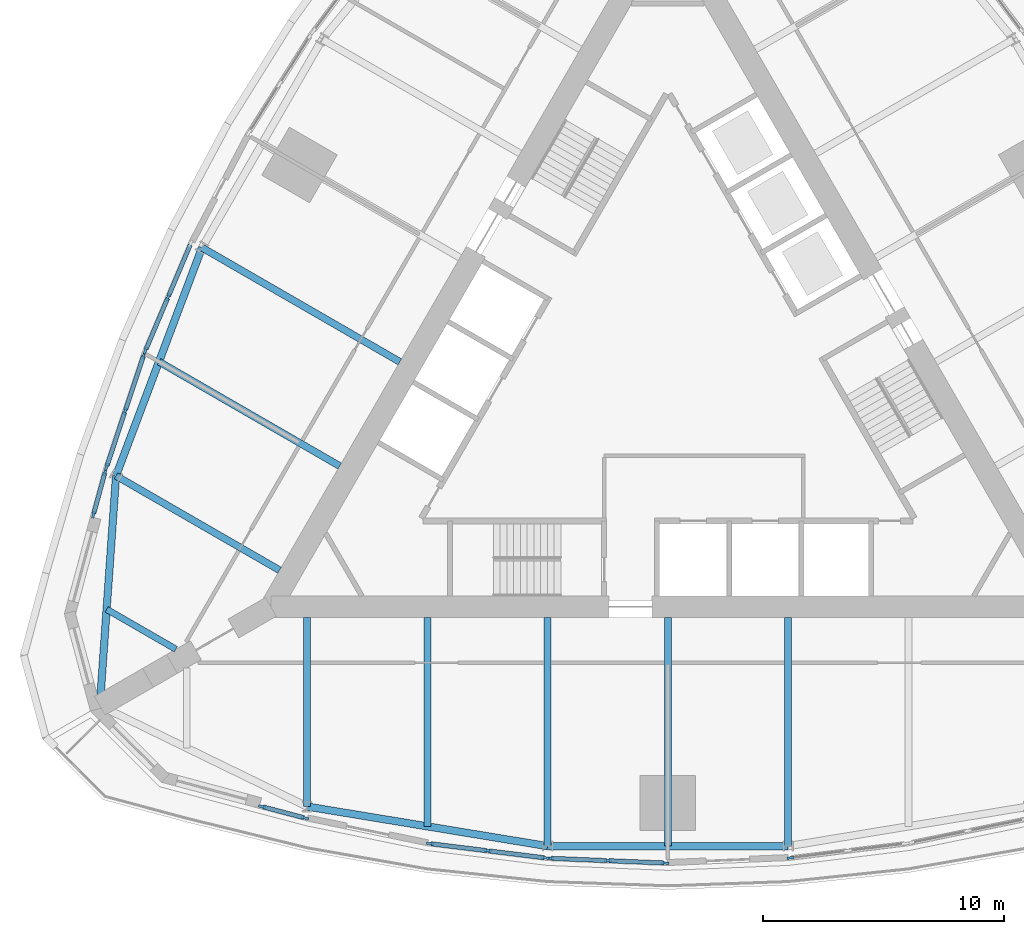
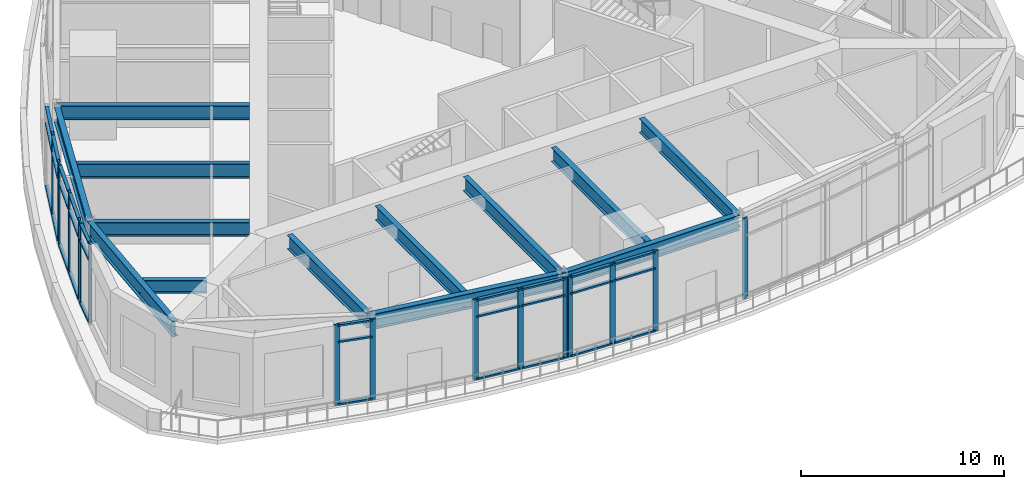
# One storey, part 2 of 13: 46 members, 13 beams, 7 elements without a shape of their own.
"""IFC4 building model written with IfcOpenShell, lengths in metres."""

import ifcopenshell
import ifcopenshell.guid

model = None  # the IFC model being written
_history = None  # IfcOwnerHistory: only IFC2X3 demands one
_inside = {}  # id of a spatial element -> (the spatial element, [elements in it])
_under = {}  # id of a project, library or spatial element -> (it, [spatial elements below it])
_declared = {}  # id of a project -> (the project, [libraries it declares])
_typed = {}  # id of a type object -> (the type object, [elements of that type])
_made_of = {}  # id of a material, layer set ... -> (it, [elements and type objects made of it])


def new_model(schema):
    """Start an empty IFC model of exactly this schema.

    Asked for "IFC4X3", IfcOpenShell would pick the latest addendum, in which some entities
    have other attributes; the version numbers below select the first issue.
    IFC2X3 requires an IfcOwnerHistory on every rooted entity: one is made here for all.
    """
    global model, _history
    if schema == "IFC4X3":
        model = ifcopenshell.file(schema_version=(4, 3, 0, 0))
    else:
        model = ifcopenshell.file(schema=schema)
    _inside.clear()
    _under.clear()
    _declared.clear()
    _typed.clear()
    _made_of.clear()
    _history = None
    if model.schema == "IFC2X3":
        org = make("IfcOrganization", Name="unknown")
        user = make(
            "IfcPersonAndOrganization",
            ThePerson=make("IfcPerson", FamilyName="unknown"),
            TheOrganization=org,
        )
        app = make(
            "IfcApplication",
            ApplicationDeveloper=org,
            Version="unknown",
            ApplicationFullName="unknown",
            ApplicationIdentifier="unknown",
        )
        _history = make(
            "IfcOwnerHistory",
            OwningUser=user,
            OwningApplication=app,
            ChangeAction="ADDED",
            CreationDate=0,
        )
    return model


def make(cls, **values):
    """One entity of the class cls with the attributes given. An attribute that is None is left unset."""
    return model.create_entity(
        cls, **{name: value for name, value in values.items() if value is not None}
    )


def rooted(cls, **values):
    """An entity with a GlobalId (a new one), such as an element, a storey or a relation."""
    return make(cls, GlobalId=ifcopenshell.guid.new(), OwnerHistory=_history, **values)


def si_unit(unit_type, name, prefix=None):
    """IfcSIUnit, for example si_unit("LENGTHUNIT", "METRE", prefix="MILLI")."""
    return make("IfcSIUnit", UnitType=unit_type, Prefix=prefix, Name=name)


def assignment(units):
    """IfcUnitAssignment: the units of a project."""
    return None if units is None else make("IfcUnitAssignment", Units=units)


def point(xyz):
    """IfcCartesianPoint."""
    return None if xyz is None else make("IfcCartesianPoint", Coordinates=xyz)


def direction(xyz):
    """IfcDirection."""
    return None if xyz is None else make("IfcDirection", DirectionRatios=xyz)


def frame(location, z_axis=None, x_axis=None):
    """IfcAxis2Placement3D, a coordinate frame: its origin and axes. An axis left out is left unset."""
    return make(
        "IfcAxis2Placement3D",
        Location=point(location),
        Axis=direction(z_axis),
        RefDirection=direction(x_axis),
    )


def frame_2d(location, x_axis=None):
    """IfcAxis2Placement2D, a coordinate frame in the plane: its origin and x axis."""
    return make(
        "IfcAxis2Placement2D", Location=point(location), RefDirection=direction(x_axis)
    )


def origin():
    """The frame at (0, 0, 0) with its axes left unset."""
    return frame((0.0, 0.0, 0.0))


def origin_2d():
    """The frame at (0, 0) in the plane with its x axis left unset."""
    return frame_2d((0.0, 0.0))


def place(relative_to, where):
    """IfcLocalPlacement: puts the frame where relative to a parent placement (None: the world)."""
    return make(
        "IfcLocalPlacement", PlacementRelTo=relative_to, RelativePlacement=where
    )


def context(
    kind, dimensions, precision=None, world=None, true_north=None, identifier=None
):
    """IfcGeometricRepresentationContext, for example the 3D "Model" context."""
    return make(
        "IfcGeometricRepresentationContext",
        ContextIdentifier=identifier,
        ContextType=kind,
        CoordinateSpaceDimension=dimensions,
        Precision=precision,
        WorldCoordinateSystem=world,
        TrueNorth=true_north,
    )


def subcontext(parent, identifier, kind, view, scale=None):
    """IfcGeometricRepresentationSubContext, for example "Body" below "Model"."""
    return make(
        "IfcGeometricRepresentationSubContext",
        ContextIdentifier=identifier,
        ContextType=kind,
        ParentContext=parent,
        TargetScale=scale,
        TargetView=view,
    )


def project(units=None, contexts=None):
    """IfcProject with its units and contexts."""
    return rooted(
        "IfcProject",
        Name="project",
        RepresentationContexts=contexts,
        UnitsInContext=assignment(units),
    )


def spatial(cls, under=None, at=None, **own):
    """A site, building, storey or space (cls), placed at a placement, below another one or the project."""
    s = rooted(cls, ObjectPlacement=at, **own)
    if under is not None:
        _under.setdefault(under.id(), (under, []))[1].append(s)
    return s


def profile(cls, at=None, kind="AREA", **sizes):
    """A parametric profile (cls). Its sizes go by their IFC names, for example OverallWidth=200.0."""
    return make(cls, ProfileType=kind, Position=at, **sizes)


def rectangle(**sizes):
    """IfcRectangleProfileDef."""
    return profile("IfcRectangleProfileDef", **sizes)


def i_section(**sizes):
    """IfcIShapeProfileDef."""
    return profile("IfcIShapeProfileDef", **sizes)


def extrude(swept, where, along, depth):
    """IfcExtrudedAreaSolid: the profile swept, set in the frame where, extruded along a direction by depth."""
    return make(
        "IfcExtrudedAreaSolid",
        SweptArea=swept,
        Position=where,
        ExtrudedDirection=direction(along),
        Depth=depth,
    )


def shape(context_of_items, identifier, shape_type, items):
    """IfcShapeRepresentation: the items that make up one representation, for example the "Body"."""
    return make(
        "IfcShapeRepresentation",
        ContextOfItems=context_of_items,
        RepresentationIdentifier=identifier,
        RepresentationType=shape_type,
        Items=items,
    )


def material(Name=None, Category=None):
    """IfcMaterial."""
    return make("IfcMaterial", Name=Name, Category=Category)


def material_profile(
    of_material, cross_section, Name=None, Category=None, Priority=None
):
    """IfcMaterialProfile: a cross section and its material."""
    return make(
        "IfcMaterialProfile",
        Name=Name,
        Material=of_material,
        Profile=cross_section,
        Priority=Priority,
        Category=Category,
    )


def profile_set(profiles, Name=None, composite=None):
    """IfcMaterialProfileSet."""
    return make(
        "IfcMaterialProfileSet",
        Name=Name,
        MaterialProfiles=profiles,
        CompositeProfile=composite,
    )


def made_of(thing, what):
    """Note that an element or type object is made of a material, layer set ...; save() writes the relation."""
    if what is not None:
        _made_of.setdefault(what.id(), (what, []))[1].append(thing)
    return thing


def type_object(cls, material=None, **own):
    """A type object (cls), such as IfcWallType, which elements share."""
    return made_of(rooted(cls, **own), material)


def element(
    cls,
    number,
    at=None,
    inside=None,
    cuts=None,
    type_object=None,
    material=None,
    context=None,
    identifier="Body",
    shape_type=None,
    held_by="IfcProductDefinitionShape",
    body=None,
    shapes=None,
    **own,
):
    """One element of the class cls, such as IfcWall. Its Tag is "e" and its number.

    at: its placement. inside: the storey or other place that contains it. cuts: it is an
    opening in that element (IfcRelVoidsElement). A single representation is given by context,
    identifier, shape_type and body (its items); several are given by shapes. held_by: the class
    of the entity that holds the representations. save() writes the other relations.
    """
    e = rooted(cls, Tag="e%d" % number, ObjectPlacement=at, **own)
    if body is not None:
        shapes = [shape(context, identifier, shape_type, body)]
    if shapes is not None:
        e.Representation = make(held_by, Representations=shapes)
    if inside is not None:
        _inside.setdefault(inside.id(), (inside, []))[1].append(e)
    if cuts is not None:
        rooted(
            "IfcRelVoidsElement", RelatingBuildingElement=cuts, RelatedOpeningElement=e
        )
    if type_object is not None:
        _typed.setdefault(type_object.id(), (type_object, []))[1].append(e)
    return made_of(e, material)


def aggregate(whole, parts):
    """IfcRelAggregates: a whole, such as a stair, and the parts it consists of."""
    return rooted("IfcRelAggregates", RelatingObject=whole, RelatedObjects=parts)


def save(model, path):
    """Write the relations noted so far, then the file.

    IfcRelAggregates (storeys below a building ...), IfcRelContainedInSpatialStructure (elements
    in a storey), IfcRelDefinesByType, IfcRelAssociatesMaterial and IfcRelDeclares: one each for
    every whole, place, type object, material and project.
    """
    for whole, parts in _under.values():
        aggregate(whole, parts)
    for where, things in _inside.values():
        rooted(
            "IfcRelContainedInSpatialStructure",
            RelatedElements=things,
            RelatingStructure=where,
        )
    for kind, things in _typed.values():
        rooted("IfcRelDefinesByType", RelatedObjects=things, RelatingType=kind)
    for what, things in _made_of.values():
        rooted("IfcRelAssociatesMaterial", RelatedObjects=things, RelatingMaterial=what)
    for by, libraries in _declared.values():
        rooted("IfcRelDeclares", RelatingContext=by, RelatedDefinitions=libraries)
    model.write(path)


model = new_model("IFC4")

# Units and contexts
model_context = context("Model", 3, precision=1e-05, world=origin(), true_north=direction((0.0, 1.0)))
body_context = subcontext(model_context, "Body", "Model", "MODEL_VIEW")
ifc_project = project(units=[si_unit("LENGTHUNIT", "METRE"), si_unit("AREAUNIT", "SQUARE_METRE"), si_unit("VOLUMEUNIT", "CUBIC_METRE"), si_unit("PLANEANGLEUNIT", "RADIAN"), si_unit("MASSUNIT", "GRAM", prefix="KILO")], contexts=[model_context])

# Site, building, storey
site_placement = place(None, origin())
site = spatial("IfcSite", under=ifc_project, at=site_placement, CompositionType="ELEMENT")
building_placement = place(site_placement, origin())
building = spatial("IfcBuilding", under=site, at=building_placement, Name="Trikona Tower", CompositionType="ELEMENT")
storey_placement = place(building_placement, frame((0.0, 0.0, 195.89990234375)))
storey = spatial("IfcBuildingStorey", under=building, at=storey_placement, Name="L52", CompositionType="ELEMENT", Elevation=195.89990234375)

# Curtain wall, members
ifc_material_1 = material(Name="Aluminium curtain wall system", Category="aluminium")
curtain_wall_type = type_object("IfcCurtainWallType", Name="Curtain wall SL", PredefinedType="NOTDEFINED", material=ifc_material_1)
curtain_wall_1_placement = place(storey_placement, origin())
curtain_wall_1 = element("IfcCurtainWall", 1, at=curtain_wall_1_placement, inside=storey, type_object=curtain_wall_type, Name="Curtain wall SL L52", PredefinedType="NOTDEFINED")
ifc_material_2 = material(Name="Aluminium mullion, pale anodised", Category="aluminium")
ifc_material_profile_1 = material_profile(ifc_material_2, rectangle(XDim=0.10009765625, YDim=0.300048828125, at=origin_2d()), Name="MUL-SL")
ifc_profile_set_1 = profile_set([ifc_material_profile_1], Name="Aluminium mullion, pale anodised")
member_type_1 = type_object("IfcMemberType", Name="Mullion SL 100x300", PredefinedType="MULLION", material=ifc_profile_set_1)
member_1_placement = place(storey_placement, frame((-16.8681640625, -17.829345703125, 0.0), z_axis=(0.0, 0.0, 1.0), x_axis=(0.25478635579, 0.966997369647, 0.0)))
member_1 = element("IfcMember", 2, at=member_1_placement, type_object=member_type_1, Name="CW-SL mullion 1", PredefinedType="MULLION", context=body_context, shape_type="SweptSolid", body=[
    extrude(rectangle(XDim=0.10009765625, YDim=0.300048828125, at=origin_2d()), origin(), (0.0, 0.0, 1.0), 4.835205078125),
])
member_2_placement = place(storey_placement, frame((-15.080810546875, -18.300048828125, 0.0), z_axis=(0.0, 0.0, 1.0), x_axis=(0.25478635579, 0.966997369647, 0.0)))
member_2 = element("IfcMember", 3, at=member_2_placement, type_object=member_type_1, Name="CW-SL mullion 2", PredefinedType="MULLION", context=body_context, shape_type="SweptSolid", body=[
    extrude(rectangle(XDim=0.10009765625, YDim=0.300048828125, at=origin_2d()), origin(), (0.0, 0.0, 1.0), 4.835205078125),
])

curtain_wall_2_placement = place(storey_placement, origin())
curtain_wall_2 = element("IfcCurtainWall", 4, at=curtain_wall_2_placement, inside=storey, type_object=curtain_wall_type, Name="Curtain wall SL L52", PredefinedType="NOTDEFINED")
member_3_placement = place(storey_placement, frame((-9.878662109375, -19.36865234375, 0.0), z_axis=(0.0, 0.0, 1.0), x_axis=(0.122610640458, 0.992454850785, 0.0)))
member_3 = element("IfcMember", 5, at=member_3_placement, type_object=member_type_1, Name="CW-SL mullion 1", PredefinedType="MULLION", context=body_context, shape_type="SweptSolid", body=[
    extrude(rectangle(XDim=0.10009765625, YDim=0.300048828125, at=origin_2d()), origin(), (0.0, 0.0, 1.0), 4.835205078125),
])
member_4_placement = place(storey_placement, frame((-7.48779296875, -19.663818359375, 0.0), z_axis=(0.0, 0.0, 1.0), x_axis=(0.122610640458, 0.992454850785, 0.0)))
member_4 = element("IfcMember", 6, at=member_4_placement, type_object=member_type_1, Name="CW-SL mullion 2", PredefinedType="MULLION", context=body_context, shape_type="SweptSolid", body=[
    extrude(rectangle(XDim=0.10009765625, YDim=0.300048828125, at=origin_2d()), origin(), (0.0, 0.0, 1.0), 4.835205078125),
])
member_5_placement = place(storey_placement, frame((-5.096923828125, -19.959228515625, 0.0), z_axis=(0.0, 0.0, 1.0), x_axis=(0.122610640458, 0.992454850785, 0.0)))
member_5 = element("IfcMember", 7, at=member_5_placement, type_object=member_type_1, Name="CW-SL mullion 3", PredefinedType="MULLION", context=body_context, shape_type="SweptSolid", body=[
    extrude(rectangle(XDim=0.10009765625, YDim=0.300048828125, at=origin_2d()), origin(), (0.0, 0.0, 1.0), 4.835205078125),
])

curtain_wall_3_placement = place(storey_placement, origin())
curtain_wall_3 = element("IfcCurtainWall", 8, at=curtain_wall_3_placement, inside=storey, type_object=curtain_wall_type, Name="Curtain wall SL L52", PredefinedType="NOTDEFINED")
member_6_placement = place(storey_placement, frame((-4.885986328125, -19.9765625, 0.0), z_axis=(0.0, 0.0, 1.0), x_axis=(0.041132349683, 0.999153706799, 0.0)))
member_6 = element("IfcMember", 9, at=member_6_placement, type_object=member_type_1, Name="CW-SL mullion 1", PredefinedType="MULLION", context=body_context, shape_type="SweptSolid", body=[
    extrude(rectangle(XDim=0.10009765625, YDim=0.300048828125, at=origin_2d()), origin(), (0.0, 0.0, 1.0), 4.835205078125),
])
member_7_placement = place(storey_placement, frame((-2.495849609375, -20.074951171875, 0.0), z_axis=(0.0, 0.0, 1.0), x_axis=(0.041132349683, 0.999153706799, 0.0)))
member_7 = element("IfcMember", 10, at=member_7_placement, type_object=member_type_1, Name="CW-SL mullion 2", PredefinedType="MULLION", context=body_context, shape_type="SweptSolid", body=[
    extrude(rectangle(XDim=0.10009765625, YDim=0.300048828125, at=origin_2d()), origin(), (0.0, 0.0, 1.0), 4.835205078125),
])
member_8_placement = place(storey_placement, frame((-0.105712890625, -20.17333984375, 0.0), z_axis=(0.0, 0.0, 1.0), x_axis=(0.041132349683, 0.999153706799, 0.0)))
member_8 = element("IfcMember", 11, at=member_8_placement, type_object=member_type_1, Name="CW-SL mullion 3", PredefinedType="MULLION", context=body_context, shape_type="SweptSolid", body=[
    extrude(rectangle(XDim=0.10009765625, YDim=0.300048828125, at=origin_2d()), origin(), (0.0, 0.0, 1.0), 4.835205078125),
])

# Curtain wall, member
curtain_wall_4_placement = place(storey_placement, origin())
curtain_wall_4 = element("IfcCurtainWall", 12, at=curtain_wall_4_placement, inside=storey, type_object=curtain_wall_type, Name="Curtain wall SL L52", PredefinedType="NOTDEFINED")
member_9_placement = place(storey_placement, frame((5.096923828125, -19.959228515625, 0.0), z_axis=(0.0, 0.0, 1.0), x_axis=(-0.122610640458, 0.992454850785, 0.0)))
member_9 = element("IfcMember", 13, at=member_9_placement, type_object=member_type_1, Name="CW-SL mullion 1", PredefinedType="MULLION", context=body_context, shape_type="SweptSolid", body=[
    extrude(rectangle(XDim=0.10009765625, YDim=0.300048828125, at=origin_2d()), origin(), (0.0, 0.0, 1.0), 4.835205078125),
])
aggregate(curtain_wall_4, [member_9])

# Curtain wall, members
curtain_wall_5_placement = place(storey_placement, origin())
curtain_wall_5 = element("IfcCurtainWall", 14, at=curtain_wall_5_placement, inside=storey, type_object=curtain_wall_type, Name="Curtain wall SL L52", PredefinedType="NOTDEFINED")
member_10_placement = place(storey_placement, frame((-20.773193359375, 3.347412109375, 0.0), z_axis=(0.0, 0.0, 1.0), x_axis=(0.920792322808, -0.390053199266, 0.0)))
member_10 = element("IfcMember", 15, at=member_10_placement, type_object=member_type_1, Name="CW-SL mullion 2", PredefinedType="MULLION", context=body_context, shape_type="SweptSolid", body=[
    extrude(rectangle(XDim=0.10009765625, YDim=0.300048828125, at=origin_2d()), origin(), (0.0, 0.0, 1.0), 4.835205078125),
])
member_11_placement = place(storey_placement, frame((-21.712890625, 1.129150390625, 0.0), z_axis=(0.0, 0.0, 1.0), x_axis=(0.920792322808, -0.390053199266, 0.0)))
member_11 = element("IfcMember", 16, at=member_11_placement, type_object=member_type_1, Name="CW-SL mullion 3", PredefinedType="MULLION", context=body_context, shape_type="SweptSolid", body=[
    extrude(rectangle(XDim=0.10009765625, YDim=0.300048828125, at=origin_2d()), origin(), (0.0, 0.0, 1.0), 4.835205078125),
])

curtain_wall_6_placement = place(storey_placement, origin())
curtain_wall_6 = element("IfcCurtainWall", 17, at=curtain_wall_6_placement, inside=storey, type_object=curtain_wall_type, Name="Curtain wall SL L52", PredefinedType="NOTDEFINED")
member_12_placement = place(storey_placement, frame((-21.78759765625, 0.930908203125, 0.0), z_axis=(0.0, 0.0, 1.0), x_axis=(0.94905976774, -0.31509610797, 0.0)))
member_12 = element("IfcMember", 18, at=member_12_placement, type_object=member_type_1, Name="CW-SL mullion 1", PredefinedType="MULLION", context=body_context, shape_type="SweptSolid", body=[
    extrude(rectangle(XDim=0.10009765625, YDim=0.300048828125, at=origin_2d()), origin(), (0.0, 0.0, 1.0), 4.835205078125),
])
member_13_placement = place(storey_placement, frame((-22.55712890625, -1.386962890625, 0.0), z_axis=(0.0, 0.0, 1.0), x_axis=(0.94905976774, -0.31509610797, 0.0)))
member_13 = element("IfcMember", 19, at=member_13_placement, type_object=member_type_1, Name="CW-SL mullion 2", PredefinedType="MULLION", context=body_context, shape_type="SweptSolid", body=[
    extrude(rectangle(XDim=0.10009765625, YDim=0.300048828125, at=origin_2d()), origin(), (0.0, 0.0, 1.0), 4.835205078125),
])
member_14_placement = place(storey_placement, frame((-23.326904296875, -3.705078125, 0.0), z_axis=(0.0, 0.0, 1.0), x_axis=(0.94905976774, -0.31509610797, 0.0)))
member_14 = element("IfcMember", 20, at=member_14_placement, type_object=member_type_1, Name="CW-SL mullion 3", PredefinedType="MULLION", context=body_context, shape_type="SweptSolid", body=[
    extrude(rectangle(XDim=0.10009765625, YDim=0.300048828125, at=origin_2d()), origin(), (0.0, 0.0, 1.0), 4.835205078125),
])

curtain_wall_7_placement = place(storey_placement, origin())
curtain_wall_7 = element("IfcCurtainWall", 21, at=curtain_wall_7_placement, inside=storey, type_object=curtain_wall_type, Name="Curtain wall SL L52", PredefinedType="NOTDEFINED")
member_15_placement = place(storey_placement, frame((-23.388916015625, -3.910400390625, 0.0), z_axis=(0.0, 0.0, 1.0), x_axis=(0.964851419019, -0.262796003047, 0.0)))
member_15 = element("IfcMember", 22, at=member_15_placement, type_object=member_type_1, Name="CW-SL mullion 1", PredefinedType="MULLION", context=body_context, shape_type="SweptSolid", body=[
    extrude(rectangle(XDim=0.10009765625, YDim=0.300048828125, at=origin_2d()), origin(), (0.0, 0.0, 1.0), 4.835205078125),
])
member_16_placement = place(storey_placement, frame((-23.87451171875, -5.693603515625, 0.0), z_axis=(0.0, 0.0, 1.0), x_axis=(0.964851419019, -0.262796003047, 0.0)))
member_16 = element("IfcMember", 23, at=member_16_placement, type_object=member_type_1, Name="CW-SL mullion 2", PredefinedType="MULLION", context=body_context, shape_type="SweptSolid", body=[
    extrude(rectangle(XDim=0.10009765625, YDim=0.300048828125, at=origin_2d()), origin(), (0.0, 0.0, 1.0), 4.835205078125),
])

# Beams
ifc_material_3 = material(Name="Steel ASTM A992 Grade 50", Category="steel")
ifc_material_profile_2 = material_profile(ifc_material_3, i_section(OverallWidth=0.2666015625, OverallDepth=0.76953125, WebThickness=0.015625, FlangeThickness=0.025390625, at=origin_2d()), Name="W30X132")
ifc_profile_set_2 = profile_set([ifc_material_profile_2], Name="Steel ASTM A992 Grade 50")
beam_type_1 = type_object("IfcBeamType", Name="Steel beam W30x132 (wedge)", PredefinedType="BEAM", material=ifc_profile_set_2)
beam_1_placement = place(storey_placement, frame((-20.449951171875, -11.287109375, 4.4501953125), z_axis=(-0.866019199568, 0.500010745865, 0.0), x_axis=(-0.500010745865, -0.866019199568, 0.0)))
element("IfcBeam", 24, at=beam_1_placement, inside=storey, type_object=beam_type_1, Name="Floor beam L53 F3 u20", PredefinedType="BEAM", context=body_context, shape_type="SweptSolid", body=[
    extrude(i_section(OverallWidth=0.2666015625, OverallDepth=0.76953125, WebThickness=0.015625, FlangeThickness=0.025390625, at=origin_2d()), origin(), (0.0, 0.0, 1.0), 3.3232421875),
])
ifc_material_4 = material(Name="Steel ASTM A992 Grade 50", Category="steel")
ifc_material_profile_3 = material_profile(ifc_material_4, i_section(OverallWidth=0.2919921875, OverallDepth=0.845703125, WebThickness=0.015380859375, FlangeThickness=0.0244140625, at=origin_2d()), Name="W33X141")
ifc_profile_set_3 = profile_set([ifc_material_profile_3], Name="Steel ASTM A992 Grade 50")
beam_type_2 = type_object("IfcBeamType", Name="Steel beam W33x141 (radial typ)", PredefinedType="BEAM", material=ifc_profile_set_3)
beam_2_placement = place(storey_placement, frame((-15.0, -9.976318359375, 4.412109375), z_axis=(0.0, -1.0, 0.0), x_axis=(1.0, 0.0, 0.0)))
element("IfcBeam", 25, at=beam_2_placement, inside=storey, type_object=beam_type_2, Name="Floor beam L53 F1 u-15", PredefinedType="BEAM", context=body_context, shape_type="SweptSolid", body=[
    extrude(i_section(OverallWidth=0.2919921875, OverallDepth=0.845703125, WebThickness=0.015380859375, FlangeThickness=0.0244140625, at=origin_2d()), origin(), (0.0, 0.0, 1.0), 7.8486328125),
])
beam_3_placement = place(storey_placement, frame((-10.0, -9.976318359375, 4.412109375), z_axis=(0.0, -1.0, 0.0), x_axis=(1.0, 0.0, 0.0)))
element("IfcBeam", 26, at=beam_3_placement, inside=storey, type_object=beam_type_2, Name="Floor beam L53 F1 u-10", PredefinedType="BEAM", context=body_context, shape_type="SweptSolid", body=[
    extrude(i_section(OverallWidth=0.2919921875, OverallDepth=0.845703125, WebThickness=0.015380859375, FlangeThickness=0.0244140625, at=origin_2d()), origin(), (0.0, 0.0, 1.0), 8.672119140625),
])
for number, where, z_axis, x_axis, name in (
    (27, (-5.0, -9.976318359375, 4.412109375), (0.0, -1.0, 0.0), (1.0, 0.0, 0.0), "Floor beam L53 F1 u-5"),
    (28, (0.0, -9.976318359375, 4.412109375), (0.0, -1.0, 0.0), (1.0, 0.0, 0.0), "Floor beam L53 F1 u0"),
    (29, (5.0, -9.976318359375, 4.412109375), (0.0, -1.0, 0.0), (1.0, 0.0, 0.0), "Floor beam L53 F1 u5"),
):
    element("IfcBeam", number, at=place(storey_placement, frame(where, z_axis=z_axis, x_axis=x_axis)), inside=storey, type_object=beam_type_2, Name=name, PredefinedType="BEAM", context=body_context, shape_type="SweptSolid", body=[
        extrude(i_section(OverallWidth=0.2919921875, OverallDepth=0.845703125, WebThickness=0.015380859375, FlangeThickness=0.0244140625, at=origin_2d()), origin(), (0.0, 0.0, 1.0), 9.49560546875),
    ])
beam_4_placement = place(storey_placement, frame((-11.1396484375, 0.657958984375, 4.412109375), z_axis=(-0.866019464008, 0.500010287853, 0.0), x_axis=(-0.500010287853, -0.866019464008, 0.0)))
element("IfcBeam", 30, at=beam_4_placement, inside=storey, type_object=beam_type_2, Name="Floor beam L53 F3 u5", PredefinedType="BEAM", context=body_context, shape_type="SweptSolid", body=[
    extrude(i_section(OverallWidth=0.2919921875, OverallDepth=0.845703125, WebThickness=0.015380859375, FlangeThickness=0.0244140625, at=origin_2d()), origin(), (0.0, 0.0, 1.0), 9.495849609375),
])
beam_5_placement = place(storey_placement, frame((-13.6396484375, -3.672119140625, 4.412109375), z_axis=(-0.866018686634, 0.500011634266, 0.0), x_axis=(-0.500011634266, -0.866018686634, 0.0)))
element("IfcBeam", 31, at=beam_5_placement, inside=storey, type_object=beam_type_2, Name="Floor beam L53 F3 u10", PredefinedType="BEAM", context=body_context, shape_type="SweptSolid", body=[
    extrude(i_section(OverallWidth=0.2919921875, OverallDepth=0.845703125, WebThickness=0.015380859375, FlangeThickness=0.0244140625, at=origin_2d()), origin(), (0.0, 0.0, 1.0), 8.672119140625),
])
beam_6_placement = place(storey_placement, frame((-16.1396484375, -8.002197265625, 4.412109375), z_axis=(-0.866025522914, 0.499999793661, 0.0), x_axis=(-0.499999793661, -0.866025522914, 0.0)))
element("IfcBeam", 32, at=beam_6_placement, inside=storey, type_object=beam_type_2, Name="Floor beam L53 F3 u15", PredefinedType="BEAM", context=body_context, shape_type="SweptSolid", body=[
    extrude(i_section(OverallWidth=0.2919921875, OverallDepth=0.845703125, WebThickness=0.015380859375, FlangeThickness=0.0244140625, at=origin_2d()), origin(), (0.0, 0.0, 1.0), 7.8486328125),
])
ifc_material_5 = material(Name="Steel ASTM A992 Grade 50", Category="steel")
ifc_material_profile_4 = material_profile(ifc_material_5, i_section(OverallWidth=0.307373046875, OverallDepth=0.922119140625, WebThickness=0.018310546875, FlangeThickness=0.030029296875, at=origin_2d()), Name="W36X182")
ifc_profile_set_4 = profile_set([ifc_material_profile_4], Name="Steel ASTM A992 Grade 50")
beam_type_3 = type_object("IfcBeamType", Name="Steel beam W36x182 (spandrel mid)", PredefinedType="SPANDREL", material=ifc_profile_set_4)
beam_7_placement = place(storey_placement, frame((-15.0, -17.824951171875, 4.3740234375), z_axis=(0.986707228918, -0.162507982575, 0.0), x_axis=(0.162507982575, 0.986707228918, 0.0)))
element("IfcBeam", 33, at=beam_7_placement, inside=storey, type_object=beam_type_3, Name="Spandrel beam L53 F1-2", PredefinedType="SPANDREL", context=body_context, shape_type="SweptSolid", body=[
    extrude(i_section(OverallWidth=0.307373046875, OverallDepth=0.922119140625, WebThickness=0.018310546875, FlangeThickness=0.030029296875, at=origin_2d()), origin(), (0.0, 0.0, 1.0), 10.134765625),
])
beam_8_placement = place(storey_placement, frame((-5.0, -19.471923828125, 4.3740234375), z_axis=(1.0, 0.0, 0.0), x_axis=(0.0, 1.0, 0.0)))
element("IfcBeam", 34, at=beam_8_placement, inside=storey, type_object=beam_type_3, Name="Spandrel beam L53 F1-3", PredefinedType="SPANDREL", context=body_context, shape_type="SweptSolid", body=[
    extrude(i_section(OverallWidth=0.307373046875, OverallDepth=0.922119140625, WebThickness=0.018310546875, FlangeThickness=0.030029296875, at=origin_2d()), origin(), (0.0, 0.0, 1.0), 10.0),
])
beam_9_placement = place(storey_placement, frame((-19.36328125, 5.406005859375, 4.3740234375), z_axis=(-0.352596088442, -0.935775613283, 0.0), x_axis=(0.935775613283, -0.352596088442, 0.0)))
element("IfcBeam", 35, at=beam_9_placement, inside=storey, type_object=beam_type_3, Name="Spandrel beam L53 F3-4", PredefinedType="SPANDREL", context=body_context, shape_type="SweptSolid", body=[
    extrude(i_section(OverallWidth=0.307373046875, OverallDepth=0.922119140625, WebThickness=0.018310546875, FlangeThickness=0.030029296875, at=origin_2d()), origin(), (0.0, 0.0, 1.0), 10.134765625),
])
beam_10_placement = place(storey_placement, frame((-22.936767578125, -4.077880859375, 4.3740234375), z_axis=(-0.07033215835, -0.997523627541, 0.0), x_axis=(0.997523627541, -0.07033215835, 0.0)))
element("IfcBeam", 36, at=beam_10_placement, inside=storey, type_object=beam_type_3, Name="Spandrel beam L53 F3-5", PredefinedType="SPANDREL", context=body_context, shape_type="SweptSolid", body=[
    extrude(i_section(OverallWidth=0.307373046875, OverallDepth=0.922119140625, WebThickness=0.018310546875, FlangeThickness=0.030029296875, at=origin_2d()), origin(), (0.0, 0.0, 1.0), 9.5771484375),
])

# Member
ifc_material_6 = material(Name="Aluminium transom, pale anodised", Category="aluminium")
ifc_material_profile_5 = material_profile(ifc_material_6, rectangle(XDim=0.179931640625, YDim=0.10009765625, at=origin_2d()), Name="TRN-SL")
ifc_profile_set_5 = profile_set([ifc_material_profile_5], Name="Aluminium transom, pale anodised")
member_type_2 = type_object("IfcMemberType", Name="Transom SL 100x180", PredefinedType="USERDEFINED", material=ifc_profile_set_5)
member_17_placement = place(storey_placement, frame((-16.81982421875, -17.842041015625, 0.050048828125), z_axis=(0.967018440068, -0.25470637324, 0.0), x_axis=(0.25470637324, 0.967018440068, 0.0)))
member_17 = element("IfcMember", 37, at=member_17_placement, type_object=member_type_2, Name="CW-SL transom 1.1", ObjectType="TRANSOM", PredefinedType="USERDEFINED", context=body_context, shape_type="SweptSolid", body=[
    extrude(rectangle(XDim=0.179931640625, YDim=0.10009765625, at=origin_2d()), origin(), (0.0, 0.0, 1.0), 1.748291015625),
])

member_18_placement = place(storey_placement, frame((-16.81982421875, -17.842041015625, 3.800048828125), z_axis=(0.967018440068, -0.25470637324, 0.0), x_axis=(0.25470637324, 0.967018440068, 0.0)))
member_18 = element("IfcMember", 38, at=member_18_placement, type_object=member_type_2, Name="CW-SL transom 1.2", ObjectType="TRANSOM", PredefinedType="USERDEFINED", context=body_context, shape_type="SweptSolid", body=[
    extrude(rectangle(XDim=0.179931640625, YDim=0.10009765625, at=origin_2d()), origin(), (0.0, 0.0, 1.0), 1.748291015625),
])

member_19_placement = place(storey_placement, frame((-16.81982421875, -17.842041015625, 4.78515625), z_axis=(0.967018440068, -0.25470637324, 0.0), x_axis=(0.25470637324, 0.967018440068, 0.0)))
member_19 = element("IfcMember", 39, at=member_19_placement, type_object=member_type_2, Name="CW-SL transom 1.3", ObjectType="TRANSOM", PredefinedType="USERDEFINED", context=body_context, shape_type="SweptSolid", body=[
    extrude(rectangle(XDim=0.179931640625, YDim=0.10009765625, at=origin_2d()), origin(), (0.0, 0.0, 1.0), 1.748291015625),
])

aggregate(curtain_wall_1, [member_1, member_2, member_17, member_18, member_19])

member_20_placement = place(storey_placement, frame((-9.828857421875, -19.374755859375, 0.050048828125), z_axis=(0.992462216808, -0.12255100248, 0.0), x_axis=(0.12255100248, 0.992462216808, 0.0)))
member_20 = element("IfcMember", 40, at=member_20_placement, type_object=member_type_2, Name="CW-SL transom 1.1", ObjectType="TRANSOM", PredefinedType="USERDEFINED", context=body_context, shape_type="SweptSolid", body=[
    extrude(rectangle(XDim=0.179931640625, YDim=0.10009765625, at=origin_2d()), origin(), (0.0, 0.0, 1.0), 2.308837890625),
])

member_21_placement = place(storey_placement, frame((-9.828857421875, -19.374755859375, 3.800048828125), z_axis=(0.992462216808, -0.12255100248, 0.0), x_axis=(0.12255100248, 0.992462216808, 0.0)))
member_21 = element("IfcMember", 41, at=member_21_placement, type_object=member_type_2, Name="CW-SL transom 1.2", ObjectType="TRANSOM", PredefinedType="USERDEFINED", context=body_context, shape_type="SweptSolid", body=[
    extrude(rectangle(XDim=0.179931640625, YDim=0.10009765625, at=origin_2d()), origin(), (0.0, 0.0, 1.0), 2.308837890625),
])

member_22_placement = place(storey_placement, frame((-9.828857421875, -19.374755859375, 4.78515625), z_axis=(0.992462216808, -0.12255100248, 0.0), x_axis=(0.12255100248, 0.992462216808, 0.0)))
member_22 = element("IfcMember", 42, at=member_22_placement, type_object=member_type_2, Name="CW-SL transom 1.3", ObjectType="TRANSOM", PredefinedType="USERDEFINED", context=body_context, shape_type="SweptSolid", body=[
    extrude(rectangle(XDim=0.179931640625, YDim=0.10009765625, at=origin_2d()), origin(), (0.0, 0.0, 1.0), 2.308837890625),
])

member_23_placement = place(storey_placement, frame((-7.438232421875, -19.669921875, 0.050048828125), z_axis=(0.99245094131, -0.122642281018, 0.0), x_axis=(0.122642281018, 0.99245094131, 0.0)))
member_23 = element("IfcMember", 43, at=member_23_placement, type_object=member_type_2, Name="CW-SL transom 2.1", ObjectType="TRANSOM", PredefinedType="USERDEFINED", context=body_context, shape_type="SweptSolid", body=[
    extrude(rectangle(XDim=0.179931640625, YDim=0.10009765625, at=origin_2d()), origin(), (0.0, 0.0, 1.0), 2.30908203125),
])

member_24_placement = place(storey_placement, frame((-7.438232421875, -19.669921875, 3.800048828125), z_axis=(0.99245094131, -0.122642281018, 0.0), x_axis=(0.122642281018, 0.99245094131, 0.0)))
member_24 = element("IfcMember", 44, at=member_24_placement, type_object=member_type_2, Name="CW-SL transom 2.2", ObjectType="TRANSOM", PredefinedType="USERDEFINED", context=body_context, shape_type="SweptSolid", body=[
    extrude(rectangle(XDim=0.179931640625, YDim=0.10009765625, at=origin_2d()), origin(), (0.0, 0.0, 1.0), 2.30908203125),
])

member_25_placement = place(storey_placement, frame((-7.438232421875, -19.669921875, 4.78515625), z_axis=(0.99245094131, -0.122642281018, 0.0), x_axis=(0.122642281018, 0.99245094131, 0.0)))
member_25 = element("IfcMember", 45, at=member_25_placement, type_object=member_type_2, Name="CW-SL transom 2.3", ObjectType="TRANSOM", PredefinedType="USERDEFINED", context=body_context, shape_type="SweptSolid", body=[
    extrude(rectangle(XDim=0.179931640625, YDim=0.10009765625, at=origin_2d()), origin(), (0.0, 0.0, 1.0), 2.30908203125),
])

aggregate(curtain_wall_2, [member_3, member_4, member_5, member_20, member_21, member_22, member_23, member_24, member_25])

member_26_placement = place(storey_placement, frame((-4.8359375, -19.978759765625, 0.050048828125), z_axis=(0.999154355601, -0.041116586488, 0.0), x_axis=(0.041116586488, 0.999154355601, 0.0)))
member_26 = element("IfcMember", 46, at=member_26_placement, type_object=member_type_2, Name="CW-SL transom 1.1", ObjectType="TRANSOM", PredefinedType="USERDEFINED", context=body_context, shape_type="SweptSolid", body=[
    extrude(rectangle(XDim=0.179931640625, YDim=0.10009765625, at=origin_2d()), origin(), (0.0, 0.0, 1.0), 2.2919921875),
])

member_27_placement = place(storey_placement, frame((-4.8359375, -19.978759765625, 3.800048828125), z_axis=(0.999154355601, -0.041116586488, 0.0), x_axis=(0.041116586488, 0.999154355601, 0.0)))
member_27 = element("IfcMember", 47, at=member_27_placement, type_object=member_type_2, Name="CW-SL transom 1.2", ObjectType="TRANSOM", PredefinedType="USERDEFINED", context=body_context, shape_type="SweptSolid", body=[
    extrude(rectangle(XDim=0.179931640625, YDim=0.10009765625, at=origin_2d()), origin(), (0.0, 0.0, 1.0), 2.2919921875),
])

member_28_placement = place(storey_placement, frame((-4.8359375, -19.978759765625, 4.78515625), z_axis=(0.999154355601, -0.041116586488, 0.0), x_axis=(0.041116586488, 0.999154355601, 0.0)))
member_28 = element("IfcMember", 48, at=member_28_placement, type_object=member_type_2, Name="CW-SL transom 1.3", ObjectType="TRANSOM", PredefinedType="USERDEFINED", context=body_context, shape_type="SweptSolid", body=[
    extrude(rectangle(XDim=0.179931640625, YDim=0.10009765625, at=origin_2d()), origin(), (0.0, 0.0, 1.0), 2.2919921875),
])

member_29_placement = place(storey_placement, frame((-2.44580078125, -20.0771484375, 0.050048828125), z_axis=(0.999154355601, -0.041116586488, 0.0), x_axis=(0.041116586488, 0.999154355601, 0.0)))
member_29 = element("IfcMember", 49, at=member_29_placement, type_object=member_type_2, Name="CW-SL transom 2.1", ObjectType="TRANSOM", PredefinedType="USERDEFINED", context=body_context, shape_type="SweptSolid", body=[
    extrude(rectangle(XDim=0.179931640625, YDim=0.10009765625, at=origin_2d()), origin(), (0.0, 0.0, 1.0), 2.2919921875),
])

member_30_placement = place(storey_placement, frame((-2.44580078125, -20.0771484375, 3.800048828125), z_axis=(0.999154355601, -0.041116586488, 0.0), x_axis=(0.041116586488, 0.999154355601, 0.0)))
member_30 = element("IfcMember", 50, at=member_30_placement, type_object=member_type_2, Name="CW-SL transom 2.2", ObjectType="TRANSOM", PredefinedType="USERDEFINED", context=body_context, shape_type="SweptSolid", body=[
    extrude(rectangle(XDim=0.179931640625, YDim=0.10009765625, at=origin_2d()), origin(), (0.0, 0.0, 1.0), 2.2919921875),
])

member_31_placement = place(storey_placement, frame((-2.44580078125, -20.0771484375, 4.78515625), z_axis=(0.999154355601, -0.041116586488, 0.0), x_axis=(0.041116586488, 0.999154355601, 0.0)))
member_31 = element("IfcMember", 51, at=member_31_placement, type_object=member_type_2, Name="CW-SL transom 2.3", ObjectType="TRANSOM", PredefinedType="USERDEFINED", context=body_context, shape_type="SweptSolid", body=[
    extrude(rectangle(XDim=0.179931640625, YDim=0.10009765625, at=origin_2d()), origin(), (0.0, 0.0, 1.0), 2.2919921875),
])

aggregate(curtain_wall_3, [member_6, member_7, member_8, member_26, member_27, member_28, member_29, member_30, member_31])

member_32_placement = place(storey_placement, frame((-19.85302734375, 5.51953125, 0.050048828125), z_axis=(-0.390036606637, -0.92079935137, 0.0), x_axis=(0.92079935137, -0.390036606637, 0.0)))
member_32 = element("IfcMember", 52, at=member_32_placement, type_object=member_type_2, Name="CW-SL transom 1.1", ObjectType="TRANSOM", PredefinedType="USERDEFINED", context=body_context, shape_type="SweptSolid", body=[
    extrude(rectangle(XDim=0.179931640625, YDim=0.10009765625, at=origin_2d()), origin(), (0.0, 0.0, 1.0), 2.30908203125),
])

member_33_placement = place(storey_placement, frame((-19.85302734375, 5.51953125, 3.800048828125), z_axis=(-0.390036606637, -0.92079935137, 0.0), x_axis=(0.92079935137, -0.390036606637, 0.0)))
member_33 = element("IfcMember", 53, at=member_33_placement, type_object=member_type_2, Name="CW-SL transom 1.2", ObjectType="TRANSOM", PredefinedType="USERDEFINED", context=body_context, shape_type="SweptSolid", body=[
    extrude(rectangle(XDim=0.179931640625, YDim=0.10009765625, at=origin_2d()), origin(), (0.0, 0.0, 1.0), 2.30908203125),
])

member_34_placement = place(storey_placement, frame((-19.85302734375, 5.51953125, 4.78515625), z_axis=(-0.390036606637, -0.92079935137, 0.0), x_axis=(0.92079935137, -0.390036606637, 0.0)))
member_34 = element("IfcMember", 54, at=member_34_placement, type_object=member_type_2, Name="CW-SL transom 1.3", ObjectType="TRANSOM", PredefinedType="USERDEFINED", context=body_context, shape_type="SweptSolid", body=[
    extrude(rectangle(XDim=0.179931640625, YDim=0.10009765625, at=origin_2d()), origin(), (0.0, 0.0, 1.0), 2.30908203125),
])

member_35_placement = place(storey_placement, frame((-20.792724609375, 3.30126953125, 0.050048828125), z_axis=(-0.390074582319, -0.920783264525, 0.0), x_axis=(0.920783264525, -0.390074582319, 0.0)))
member_35 = element("IfcMember", 55, at=member_35_placement, type_object=member_type_2, Name="CW-SL transom 2.1", ObjectType="TRANSOM", PredefinedType="USERDEFINED", context=body_context, shape_type="SweptSolid", body=[
    extrude(rectangle(XDim=0.179931640625, YDim=0.10009765625, at=origin_2d()), origin(), (0.0, 0.0, 1.0), 2.308837890625),
])

member_36_placement = place(storey_placement, frame((-20.792724609375, 3.30126953125, 3.800048828125), z_axis=(-0.390074582319, -0.920783264525, 0.0), x_axis=(0.920783264525, -0.390074582319, 0.0)))
member_36 = element("IfcMember", 56, at=member_36_placement, type_object=member_type_2, Name="CW-SL transom 2.2", ObjectType="TRANSOM", PredefinedType="USERDEFINED", context=body_context, shape_type="SweptSolid", body=[
    extrude(rectangle(XDim=0.179931640625, YDim=0.10009765625, at=origin_2d()), origin(), (0.0, 0.0, 1.0), 2.308837890625),
])

member_37_placement = place(storey_placement, frame((-20.792724609375, 3.30126953125, 4.78515625), z_axis=(-0.390074582319, -0.920783264525, 0.0), x_axis=(0.920783264525, -0.390074582319, 0.0)))
member_37 = element("IfcMember", 57, at=member_37_placement, type_object=member_type_2, Name="CW-SL transom 2.3", ObjectType="TRANSOM", PredefinedType="USERDEFINED", context=body_context, shape_type="SweptSolid", body=[
    extrude(rectangle(XDim=0.179931640625, YDim=0.10009765625, at=origin_2d()), origin(), (0.0, 0.0, 1.0), 2.308837890625),
])

aggregate(curtain_wall_5, [member_10, member_11, member_32, member_33, member_34, member_35, member_36, member_37])

member_38_placement = place(storey_placement, frame((-21.803466796875, 0.883544921875, 0.050048828125), z_axis=(-0.315070639024, -0.949068223272, 0.0), x_axis=(0.949068223272, -0.315070639024, 0.0)))
member_38 = element("IfcMember", 58, at=member_38_placement, type_object=member_type_2, Name="CW-SL transom 1.1", ObjectType="TRANSOM", PredefinedType="USERDEFINED", context=body_context, shape_type="SweptSolid", body=[
    extrude(rectangle(XDim=0.179931640625, YDim=0.10009765625, at=origin_2d()), origin(), (0.0, 0.0, 1.0), 2.342529296875),
])

member_39_placement = place(storey_placement, frame((-21.803466796875, 0.883544921875, 3.800048828125), z_axis=(-0.315070639024, -0.949068223272, 0.0), x_axis=(0.949068223272, -0.315070639024, 0.0)))
member_39 = element("IfcMember", 59, at=member_39_placement, type_object=member_type_2, Name="CW-SL transom 1.2", ObjectType="TRANSOM", PredefinedType="USERDEFINED", context=body_context, shape_type="SweptSolid", body=[
    extrude(rectangle(XDim=0.179931640625, YDim=0.10009765625, at=origin_2d()), origin(), (0.0, 0.0, 1.0), 2.342529296875),
])

member_40_placement = place(storey_placement, frame((-21.803466796875, 0.883544921875, 4.78515625), z_axis=(-0.315070639024, -0.949068223272, 0.0), x_axis=(0.949068223272, -0.315070639024, 0.0)))
member_40 = element("IfcMember", 60, at=member_40_placement, type_object=member_type_2, Name="CW-SL transom 1.3", ObjectType="TRANSOM", PredefinedType="USERDEFINED", context=body_context, shape_type="SweptSolid", body=[
    extrude(rectangle(XDim=0.179931640625, YDim=0.10009765625, at=origin_2d()), origin(), (0.0, 0.0, 1.0), 2.342529296875),
])

member_41_placement = place(storey_placement, frame((-22.572998046875, -1.4345703125, 0.050048828125), z_axis=(-0.315070639024, -0.949068223272, 0.0), x_axis=(0.949068223272, -0.315070639024, 0.0)))
member_41 = element("IfcMember", 61, at=member_41_placement, type_object=member_type_2, Name="CW-SL transom 2.1", ObjectType="TRANSOM", PredefinedType="USERDEFINED", context=body_context, shape_type="SweptSolid", body=[
    extrude(rectangle(XDim=0.179931640625, YDim=0.10009765625, at=origin_2d()), origin(), (0.0, 0.0, 1.0), 2.342529296875),
])

member_42_placement = place(storey_placement, frame((-22.572998046875, -1.4345703125, 3.800048828125), z_axis=(-0.315070639024, -0.949068223272, 0.0), x_axis=(0.949068223272, -0.315070639024, 0.0)))
member_42 = element("IfcMember", 62, at=member_42_placement, type_object=member_type_2, Name="CW-SL transom 2.2", ObjectType="TRANSOM", PredefinedType="USERDEFINED", context=body_context, shape_type="SweptSolid", body=[
    extrude(rectangle(XDim=0.179931640625, YDim=0.10009765625, at=origin_2d()), origin(), (0.0, 0.0, 1.0), 2.342529296875),
])

member_43_placement = place(storey_placement, frame((-22.572998046875, -1.4345703125, 4.78515625), z_axis=(-0.315070639024, -0.949068223272, 0.0), x_axis=(0.949068223272, -0.315070639024, 0.0)))
member_43 = element("IfcMember", 63, at=member_43_placement, type_object=member_type_2, Name="CW-SL transom 2.3", ObjectType="TRANSOM", PredefinedType="USERDEFINED", context=body_context, shape_type="SweptSolid", body=[
    extrude(rectangle(XDim=0.179931640625, YDim=0.10009765625, at=origin_2d()), origin(), (0.0, 0.0, 1.0), 2.342529296875),
])

aggregate(curtain_wall_6, [member_12, member_13, member_14, member_38, member_39, member_40, member_41, member_42, member_43])

member_44_placement = place(storey_placement, frame((-23.402099609375, -3.95849609375, 0.050048828125), z_axis=(-0.262656574771, -0.964889384194, 0.0), x_axis=(0.964889384194, -0.262656574771, 0.0)))
member_44 = element("IfcMember", 64, at=member_44_placement, type_object=member_type_2, Name="CW-SL transom 1.1", ObjectType="TRANSOM", PredefinedType="USERDEFINED", context=body_context, shape_type="SweptSolid", body=[
    extrude(rectangle(XDim=0.179931640625, YDim=0.10009765625, at=origin_2d()), origin(), (0.0, 0.0, 1.0), 1.748291015625),
])

member_45_placement = place(storey_placement, frame((-23.402099609375, -3.95849609375, 3.800048828125), z_axis=(-0.262656574771, -0.964889384194, 0.0), x_axis=(0.964889384194, -0.262656574771, 0.0)))
member_45 = element("IfcMember", 65, at=member_45_placement, type_object=member_type_2, Name="CW-SL transom 1.2", ObjectType="TRANSOM", PredefinedType="USERDEFINED", context=body_context, shape_type="SweptSolid", body=[
    extrude(rectangle(XDim=0.179931640625, YDim=0.10009765625, at=origin_2d()), origin(), (0.0, 0.0, 1.0), 1.748291015625),
])

member_46_placement = place(storey_placement, frame((-23.402099609375, -3.95849609375, 4.78515625), z_axis=(-0.262656574771, -0.964889384194, 0.0), x_axis=(0.964889384194, -0.262656574771, 0.0)))
member_46 = element("IfcMember", 66, at=member_46_placement, type_object=member_type_2, Name="CW-SL transom 1.3", ObjectType="TRANSOM", PredefinedType="USERDEFINED", context=body_context, shape_type="SweptSolid", body=[
    extrude(rectangle(XDim=0.179931640625, YDim=0.10009765625, at=origin_2d()), origin(), (0.0, 0.0, 1.0), 1.748291015625),
])

aggregate(curtain_wall_7, [member_15, member_16, member_44, member_45, member_46])

save(model, "model.ifc")
